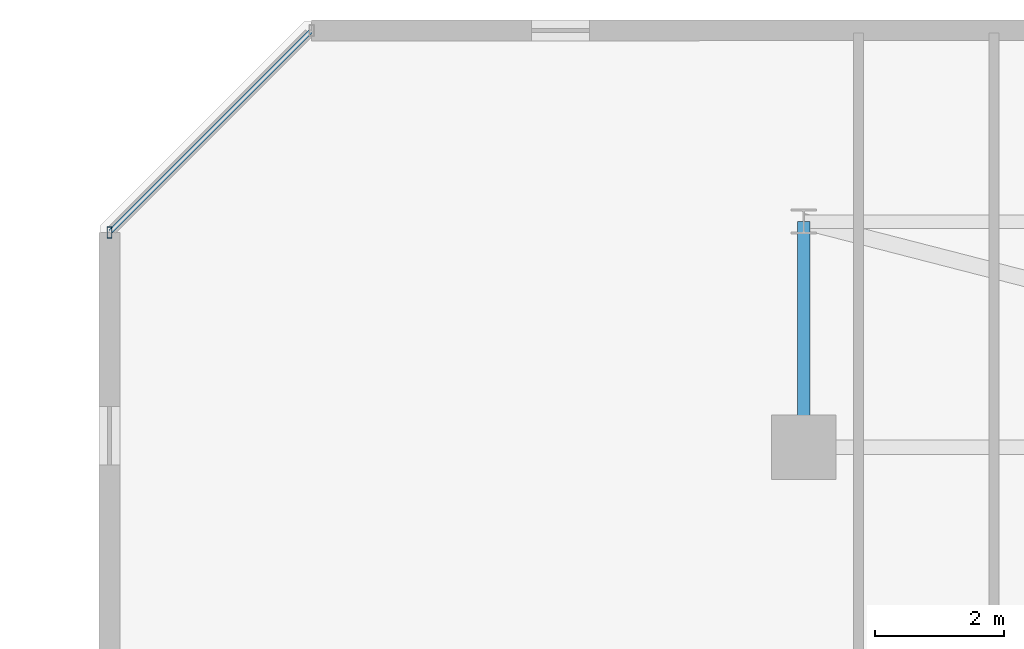
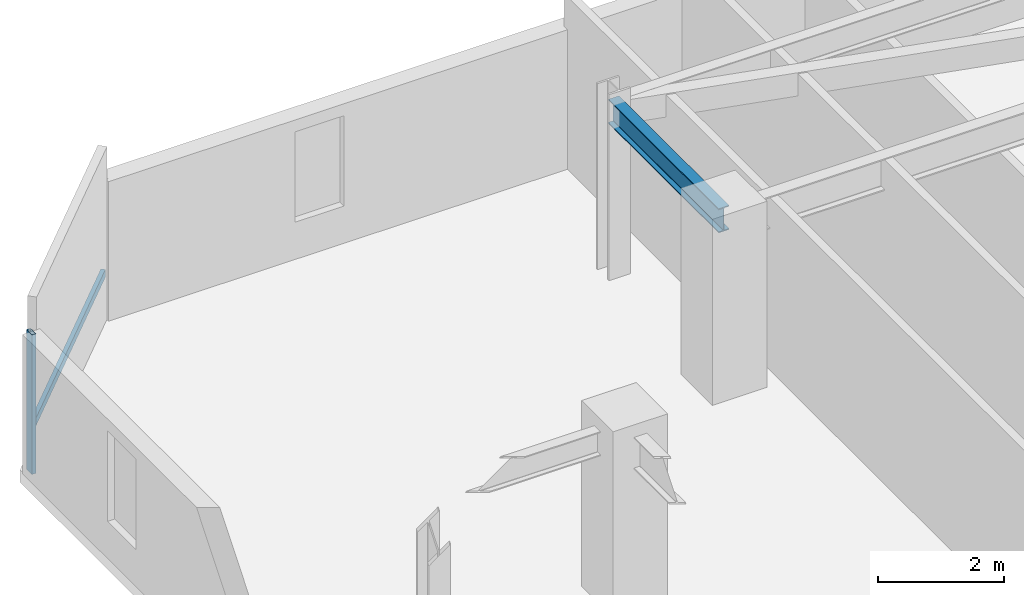
# One storey, part 7 of 33: 2 members, 1 beam, 1 element without a shape of its own.
"""IFC4 building model written with IfcOpenShell, lengths in metres."""

from ifc_helpers import new_model, si_unit, direction, frame, origin, origin_2d, place, context, subcontext, project, spatial, hollow_rectangle, i_section, extrude, material, material_profile, profile_set, type_object, element, aggregate, save


model = new_model("IFC4")

# Units and contexts
model_context = context("Model", 3, precision=1e-05, world=origin(), true_north=direction((0.0, 1.0)))
body_context = subcontext(model_context, "Body", "Model", "MODEL_VIEW")
ifc_project = project(units=[si_unit("LENGTHUNIT", "METRE"), si_unit("AREAUNIT", "SQUARE_METRE"), si_unit("VOLUMEUNIT", "CUBIC_METRE"), si_unit("PLANEANGLEUNIT", "RADIAN"), si_unit("MASSUNIT", "GRAM", prefix="KILO")], contexts=[model_context])

# Site, building, storey
site_placement = place(None, origin())
site = spatial("IfcSite", under=ifc_project, at=site_placement, CompositionType="ELEMENT")
building_placement = place(site_placement, origin())
building = spatial("IfcBuilding", under=site, at=building_placement, Name="Thornwick Lancets Civic Towers", CompositionType="ELEMENT")
storey_placement = place(building_placement, frame((0.0, 0.0, 214.5)))
storey = spatial("IfcBuildingStorey", under=building, at=storey_placement, Name="L57", CompositionType="ELEMENT", Elevation=214.5)

# Beam
ifc_material_1 = material(Name="Steel S355JR", Category="steel")
ifc_material_profile_1 = material_profile(ifc_material_1, i_section(OverallWidth=0.19287109375, OverallDepth=0.46728515625, WebThickness=0.011474609375, FlangeThickness=0.01953125, FilletRadius=0.01025390625, at=origin_2d()), Name="UKB 457x191x98")
ifc_profile_set_1 = profile_set([ifc_material_profile_1], Name="Steel S355JR")
beam_type = type_object("IfcBeamType", Name="BM_JOIST_457_98", PredefinedType="JOIST", material=ifc_profile_set_1)
beam_placement = place(storey_placement, frame((12.5, 44.300048828125, 3.12646484375), z_axis=(0.0, 1.0, 0.0), x_axis=(-1.0, 0.0, 0.0)))
element("IfcBeam", 1, at=beam_placement, inside=storey, type_object=beam_type, Name="BM-RAD-L57-A07", PredefinedType="JOIST", context=body_context, shape_type="SweptSolid", body=[
    extrude(i_section(OverallWidth=0.19287109375, OverallDepth=0.46728515625, WebThickness=0.011474609375, FlangeThickness=0.01953125, FilletRadius=0.01025390625, at=origin_2d()), origin(), (0.0, 0.0, 1.0), 3.5),
])

# Curtain wall, members
ifc_material_2 = material(Name="High-zone chamfered-corner unitised glass curtain wall", Category="glass")
curtain_wall_type = type_object("IfcCurtainWallType", Name="CW_SYS_05", PredefinedType="NOTDEFINED", material=ifc_material_2)
curtain_wall_placement = place(storey_placement, origin())
curtain_wall = element("IfcCurtainWall", 2, at=curtain_wall_placement, inside=storey, type_object=curtain_wall_type, Name="L57 Curtain Wall CW-L57-A-E5", PredefinedType="NOTDEFINED")
ifc_material_3 = material(Name="Thermally broken bronze aluminium S355", Category="steel")
ifc_material_profile_2 = material_profile(ifc_material_3, hollow_rectangle(XDim=0.074951171875, YDim=0.179931640625, WallThickness=0.006103515625, at=origin_2d()), Name="RHS 180x75x6")
ifc_profile_set_2 = profile_set([ifc_material_profile_2], Name="Thermally broken bronze aluminium S355")
member_type_1 = type_object("IfcMemberType", Name="CW_MUL_180", PredefinedType="MULLION", material=ifc_profile_set_2)
member_1_placement = place(storey_placement, frame((1.7373046875, 47.62939453125, 0.0), z_axis=(0.0, 0.0, 1.0), x_axis=(1.0, 0.0, 0.0)))
member_1 = element("IfcMember", 3, at=member_1_placement, type_object=member_type_1, Name="CW-L57-A-E5 Mullion 1", PredefinedType="MULLION", context=body_context, shape_type="SweptSolid", body=[
    extrude(hollow_rectangle(XDim=0.074951171875, YDim=0.179931640625, WallThickness=0.006103515625, at=origin_2d()), origin(), (0.0, 0.0, 1.0), 2.699951171875),
])
ifc_material_profile_3 = material_profile(ifc_material_3, hollow_rectangle(XDim=0.074951171875, YDim=0.14990234375, WallThickness=0.0048828125, at=origin_2d()), Name="RHS 150x75x5")
ifc_profile_set_3 = profile_set([ifc_material_profile_3], Name="Thermally broken bronze aluminium S355")
member_type_2 = type_object("IfcMemberType", Name="CW_TRN_150", PredefinedType="USERDEFINED", material=ifc_profile_set_3)
member_2_placement = place(storey_placement, frame((4.8564453125, 50.748779296875, 0.85009765625), z_axis=(-0.707106781187, -0.707106781187, 0.0), x_axis=(0.707106781187, -0.707106781187, 0.0)))
member_2 = element("IfcMember", 4, at=member_2_placement, type_object=member_type_2, Name="CW-L57-A-E5 Transom 0", ObjectType="TRANSOM", PredefinedType="USERDEFINED", context=body_context, shape_type="SweptSolid", body=[
    extrude(hollow_rectangle(XDim=0.074951171875, YDim=0.14990234375, WallThickness=0.0048828125, at=origin_2d()), origin(), (0.0, 0.0, 1.0), 4.391357421875),
])
aggregate(curtain_wall, [member_1, member_2])

save(model, "model.ifc")
